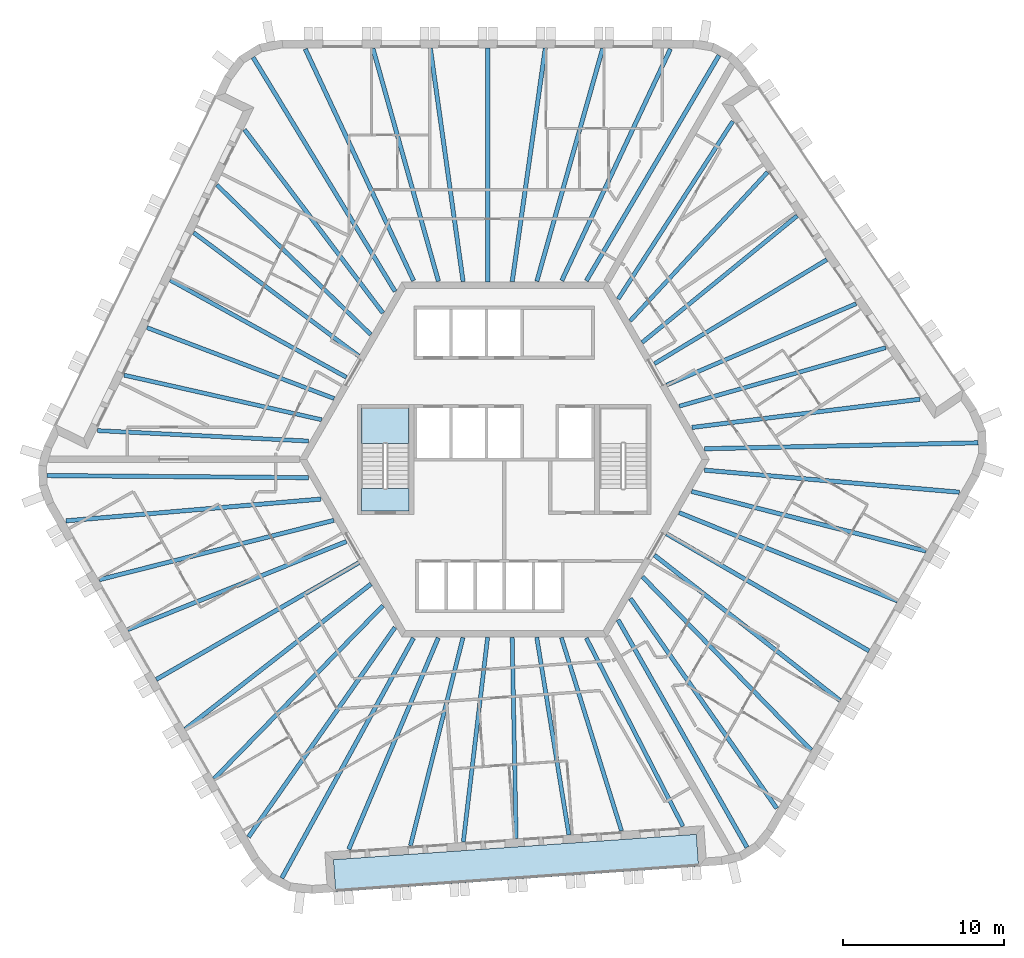
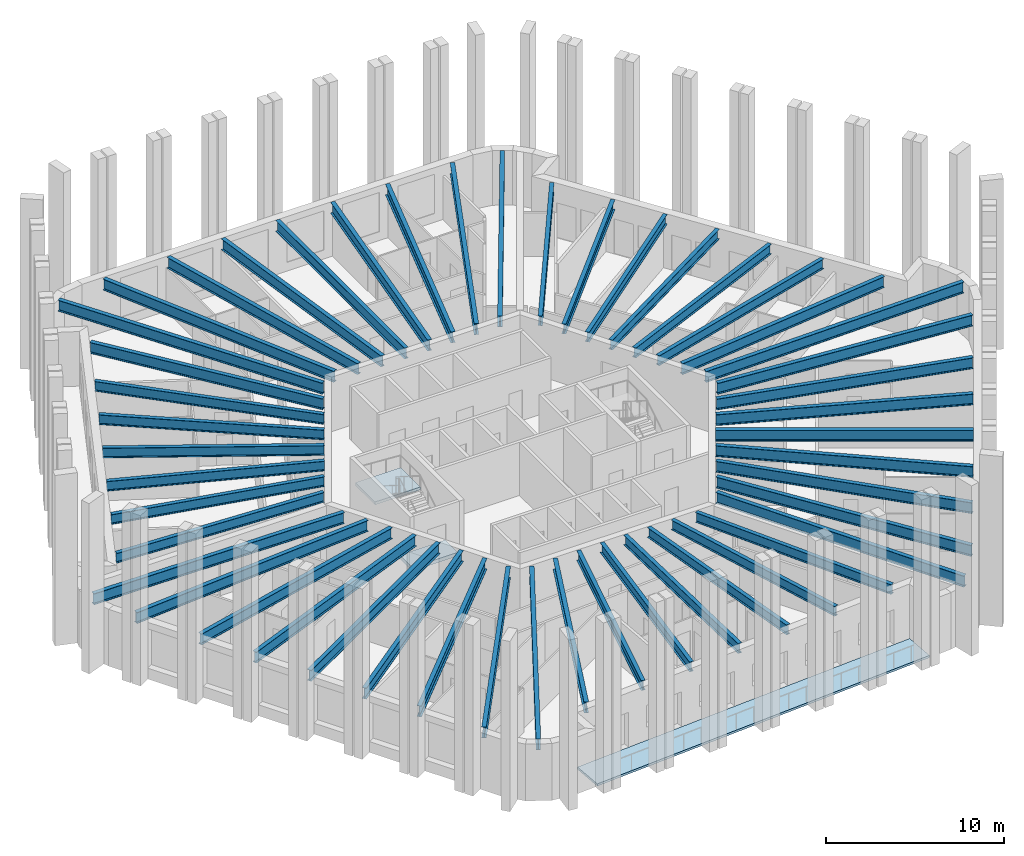
# One storey, part 1 of 13: 48 beams, 3 slabs, 1 element without a shape of its own.
"""IFC4 building model written with IfcOpenShell, lengths in metres."""

import ifcopenshell
import ifcopenshell.guid

model = None  # the IFC model being written
_history = None  # IfcOwnerHistory: only IFC2X3 demands one
_inside = {}  # id of a spatial element -> (the spatial element, [elements in it])
_under = {}  # id of a project, library or spatial element -> (it, [spatial elements below it])
_declared = {}  # id of a project -> (the project, [libraries it declares])
_typed = {}  # id of a type object -> (the type object, [elements of that type])
_made_of = {}  # id of a material, layer set ... -> (it, [elements and type objects made of it])


def new_model(schema):
    """Start an empty IFC model of exactly this schema.

    Asked for "IFC4X3", IfcOpenShell would pick the latest addendum, in which some entities
    have other attributes; the version numbers below select the first issue.
    IFC2X3 requires an IfcOwnerHistory on every rooted entity: one is made here for all.
    """
    global model, _history
    if schema == "IFC4X3":
        model = ifcopenshell.file(schema_version=(4, 3, 0, 0))
    else:
        model = ifcopenshell.file(schema=schema)
    _inside.clear()
    _under.clear()
    _declared.clear()
    _typed.clear()
    _made_of.clear()
    _history = None
    if model.schema == "IFC2X3":
        org = make("IfcOrganization", Name="unknown")
        user = make(
            "IfcPersonAndOrganization",
            ThePerson=make("IfcPerson", FamilyName="unknown"),
            TheOrganization=org,
        )
        app = make(
            "IfcApplication",
            ApplicationDeveloper=org,
            Version="unknown",
            ApplicationFullName="unknown",
            ApplicationIdentifier="unknown",
        )
        _history = make(
            "IfcOwnerHistory",
            OwningUser=user,
            OwningApplication=app,
            ChangeAction="ADDED",
            CreationDate=0,
        )
    return model


def make(cls, **values):
    """One entity of the class cls with the attributes given. An attribute that is None is left unset."""
    return model.create_entity(
        cls, **{name: value for name, value in values.items() if value is not None}
    )


def rooted(cls, **values):
    """An entity with a GlobalId (a new one), such as an element, a storey or a relation."""
    return make(cls, GlobalId=ifcopenshell.guid.new(), OwnerHistory=_history, **values)


def si_unit(unit_type, name, prefix=None):
    """IfcSIUnit, for example si_unit("LENGTHUNIT", "METRE", prefix="MILLI")."""
    return make("IfcSIUnit", UnitType=unit_type, Prefix=prefix, Name=name)


def assignment(units):
    """IfcUnitAssignment: the units of a project."""
    return None if units is None else make("IfcUnitAssignment", Units=units)


def point(xyz):
    """IfcCartesianPoint."""
    return None if xyz is None else make("IfcCartesianPoint", Coordinates=xyz)


def direction(xyz):
    """IfcDirection."""
    return None if xyz is None else make("IfcDirection", DirectionRatios=xyz)


def frame(location, z_axis=None, x_axis=None):
    """IfcAxis2Placement3D, a coordinate frame: its origin and axes. An axis left out is left unset."""
    return make(
        "IfcAxis2Placement3D",
        Location=point(location),
        Axis=direction(z_axis),
        RefDirection=direction(x_axis),
    )


def frame_2d(location, x_axis=None):
    """IfcAxis2Placement2D, a coordinate frame in the plane: its origin and x axis."""
    return make(
        "IfcAxis2Placement2D", Location=point(location), RefDirection=direction(x_axis)
    )


def origin():
    """The frame at (0, 0, 0) with its axes left unset."""
    return frame((0.0, 0.0, 0.0))


def origin_2d():
    """The frame at (0, 0) in the plane with its x axis left unset."""
    return frame_2d((0.0, 0.0))


def place(relative_to, where):
    """IfcLocalPlacement: puts the frame where relative to a parent placement (None: the world)."""
    return make(
        "IfcLocalPlacement", PlacementRelTo=relative_to, RelativePlacement=where
    )


def context(
    kind, dimensions, precision=None, world=None, true_north=None, identifier=None
):
    """IfcGeometricRepresentationContext, for example the 3D "Model" context."""
    return make(
        "IfcGeometricRepresentationContext",
        ContextIdentifier=identifier,
        ContextType=kind,
        CoordinateSpaceDimension=dimensions,
        Precision=precision,
        WorldCoordinateSystem=world,
        TrueNorth=true_north,
    )


def subcontext(parent, identifier, kind, view, scale=None):
    """IfcGeometricRepresentationSubContext, for example "Body" below "Model"."""
    return make(
        "IfcGeometricRepresentationSubContext",
        ContextIdentifier=identifier,
        ContextType=kind,
        ParentContext=parent,
        TargetScale=scale,
        TargetView=view,
    )


def project(units=None, contexts=None):
    """IfcProject with its units and contexts."""
    return rooted(
        "IfcProject",
        Name="project",
        RepresentationContexts=contexts,
        UnitsInContext=assignment(units),
    )


def spatial(cls, under=None, at=None, **own):
    """A site, building, storey or space (cls), placed at a placement, below another one or the project."""
    s = rooted(cls, ObjectPlacement=at, **own)
    if under is not None:
        _under.setdefault(under.id(), (under, []))[1].append(s)
    return s


def polyline(points):
    """IfcPolyline through the points."""
    return make("IfcPolyline", Points=[point(p) for p in points])


def profile(cls, at=None, kind="AREA", **sizes):
    """A parametric profile (cls). Its sizes go by their IFC names, for example OverallWidth=200.0."""
    return make(cls, ProfileType=kind, Position=at, **sizes)


def i_section(**sizes):
    """IfcIShapeProfileDef."""
    return profile("IfcIShapeProfileDef", **sizes)


def outline(outer, holes=None, kind="AREA"):
    """IfcArbitraryClosedProfileDef: a profile drawn as a closed curve; with holes, ...WithVoids."""
    if holes is None:
        return make("IfcArbitraryClosedProfileDef", ProfileType=kind, OuterCurve=outer)
    return make(
        "IfcArbitraryProfileDefWithVoids",
        ProfileType=kind,
        OuterCurve=outer,
        InnerCurves=holes,
    )


def extrude(swept, where, along, depth):
    """IfcExtrudedAreaSolid: the profile swept, set in the frame where, extruded along a direction by depth."""
    return make(
        "IfcExtrudedAreaSolid",
        SweptArea=swept,
        Position=where,
        ExtrudedDirection=direction(along),
        Depth=depth,
    )


def shape(context_of_items, identifier, shape_type, items):
    """IfcShapeRepresentation: the items that make up one representation, for example the "Body"."""
    return make(
        "IfcShapeRepresentation",
        ContextOfItems=context_of_items,
        RepresentationIdentifier=identifier,
        RepresentationType=shape_type,
        Items=items,
    )


def material(Name=None, Category=None):
    """IfcMaterial."""
    return make("IfcMaterial", Name=Name, Category=Category)


def layer(
    of_material, thickness, ventilated=None, Name=None, Category=None, Priority=None
):
    """IfcMaterialLayer: one layer of a wall or slab, of a material (None: an air gap)."""
    return make(
        "IfcMaterialLayer",
        Material=of_material,
        LayerThickness=thickness,
        IsVentilated=ventilated,
        Name=Name,
        Category=Category,
        Priority=Priority,
    )


def layer_set(layers, Name=None):
    """IfcMaterialLayerSet."""
    return make("IfcMaterialLayerSet", MaterialLayers=layers, LayerSetName=Name)


def material_profile(
    of_material, cross_section, Name=None, Category=None, Priority=None
):
    """IfcMaterialProfile: a cross section and its material."""
    return make(
        "IfcMaterialProfile",
        Name=Name,
        Material=of_material,
        Profile=cross_section,
        Priority=Priority,
        Category=Category,
    )


def profile_set(profiles, Name=None, composite=None):
    """IfcMaterialProfileSet."""
    return make(
        "IfcMaterialProfileSet",
        Name=Name,
        MaterialProfiles=profiles,
        CompositeProfile=composite,
    )


def made_of(thing, what):
    """Note that an element or type object is made of a material, layer set ...; save() writes the relation."""
    if what is not None:
        _made_of.setdefault(what.id(), (what, []))[1].append(thing)
    return thing


def type_object(cls, material=None, **own):
    """A type object (cls), such as IfcWallType, which elements share."""
    return made_of(rooted(cls, **own), material)


def element(
    cls,
    number,
    at=None,
    inside=None,
    cuts=None,
    type_object=None,
    material=None,
    context=None,
    identifier="Body",
    shape_type=None,
    held_by="IfcProductDefinitionShape",
    body=None,
    shapes=None,
    **own,
):
    """One element of the class cls, such as IfcWall. Its Tag is "e" and its number.

    at: its placement. inside: the storey or other place that contains it. cuts: it is an
    opening in that element (IfcRelVoidsElement). A single representation is given by context,
    identifier, shape_type and body (its items); several are given by shapes. held_by: the class
    of the entity that holds the representations. save() writes the other relations.
    """
    e = rooted(cls, Tag="e%d" % number, ObjectPlacement=at, **own)
    if body is not None:
        shapes = [shape(context, identifier, shape_type, body)]
    if shapes is not None:
        e.Representation = make(held_by, Representations=shapes)
    if inside is not None:
        _inside.setdefault(inside.id(), (inside, []))[1].append(e)
    if cuts is not None:
        rooted(
            "IfcRelVoidsElement", RelatingBuildingElement=cuts, RelatedOpeningElement=e
        )
    if type_object is not None:
        _typed.setdefault(type_object.id(), (type_object, []))[1].append(e)
    return made_of(e, material)


def aggregate(whole, parts):
    """IfcRelAggregates: a whole, such as a stair, and the parts it consists of."""
    return rooted("IfcRelAggregates", RelatingObject=whole, RelatedObjects=parts)


def save(model, path):
    """Write the relations noted so far, then the file.

    IfcRelAggregates (storeys below a building ...), IfcRelContainedInSpatialStructure (elements
    in a storey), IfcRelDefinesByType, IfcRelAssociatesMaterial and IfcRelDeclares: one each for
    every whole, place, type object, material and project.
    """
    for whole, parts in _under.values():
        aggregate(whole, parts)
    for where, things in _inside.values():
        rooted(
            "IfcRelContainedInSpatialStructure",
            RelatedElements=things,
            RelatingStructure=where,
        )
    for kind, things in _typed.values():
        rooted("IfcRelDefinesByType", RelatedObjects=things, RelatingType=kind)
    for what, things in _made_of.values():
        rooted("IfcRelAssociatesMaterial", RelatedObjects=things, RelatingMaterial=what)
    for by, libraries in _declared.values():
        rooted("IfcRelDeclares", RelatingContext=by, RelatedDefinitions=libraries)
    model.write(path)


model = new_model("IFC4")

# Units and contexts
model_context = context("Model", 3, precision=1e-05, world=origin(), true_north=direction((0.0, 1.0)))
body_context = subcontext(model_context, "Body", "Model", "MODEL_VIEW")
ifc_project = project(units=[si_unit("LENGTHUNIT", "METRE"), si_unit("AREAUNIT", "SQUARE_METRE"), si_unit("VOLUMEUNIT", "CUBIC_METRE"), si_unit("PLANEANGLEUNIT", "RADIAN"), si_unit("MASSUNIT", "GRAM", prefix="KILO")], contexts=[model_context])

# Site, building, storey
site_placement = place(None, origin())
site = spatial("IfcSite", under=ifc_project, at=site_placement, CompositionType="ELEMENT")
building_placement = place(site_placement, origin())
building = spatial("IfcBuilding", under=site, at=building_placement, Name="Tarnside Tower", CompositionType="ELEMENT")
storey_placement = place(building_placement, frame((0.0, 0.0, 314.699951171875)))
storey = spatial("IfcBuildingStorey", under=building, at=storey_placement, Name="L76", CompositionType="ELEMENT", Elevation=314.699951171875)

# Beams
ifc_material_1 = material(Name="Steel S355", Category="steel")
ifc_material_profile_1 = material_profile(ifc_material_1, i_section(OverallWidth=0.2529296875, OverallDepth=0.677978515625, WebThickness=0.01171875, FlangeThickness=0.01611328125, FilletRadius=0.01513671875, at=origin_2d()), Name="UB 686x254x125")
ifc_profile_set_1 = profile_set([ifc_material_profile_1], Name="Steel S355")
beam_type_1 = type_object("IfcBeamType", Name="Floor beam UB 686x254x125", PredefinedType="BEAM", material=ifc_profile_set_1)
beam_1_placement = place(storey_placement, frame((-17.811279296875, 17.002197265625, 3.4111328125), z_axis=(0.717190986424, -0.696876666988, 0.0), x_axis=(0.696876666988, 0.717190986424, 0.0)))
element("IfcBeam", 1, at=beam_1_placement, inside=storey, type_object=beam_type_1, Name="Floor beam F2.02", PredefinedType="BEAM", context=body_context, shape_type="SweptSolid", body=[
    extrude(i_section(OverallWidth=0.2529296875, OverallDepth=0.677978515625, WebThickness=0.01171875, FlangeThickness=0.01611328125, FilletRadius=0.01513671875, at=origin_2d()), origin(), (0.0, 0.0, 1.0), 13.2919921875),
])
beam_2_placement = place(storey_placement, frame((-19.25, 14.0498046875, 3.4111328125), z_axis=(0.801006417676, -0.598655759883, 0.0), x_axis=(0.598655759883, 0.801006417676, 0.0)))
element("IfcBeam", 2, at=beam_2_placement, inside=storey, type_object=beam_type_1, Name="Floor beam F2.03", PredefinedType="BEAM", context=body_context, shape_type="SweptSolid", body=[
    extrude(i_section(OverallWidth=0.2529296875, OverallDepth=0.677978515625, WebThickness=0.01171875, FlangeThickness=0.01611328125, FilletRadius=0.01513671875, at=origin_2d()), origin(), (0.0, 0.0, 1.0), 12.764892578125),
])
beam_3_placement = place(storey_placement, frame((-20.70458984375, 11.111572265625, 3.4111328125), z_axis=(0.875666768762, -0.482915841619, 0.0), x_axis=(0.482915841619, 0.875666768762, 0.0)))
element("IfcBeam", 3, at=beam_3_placement, inside=storey, type_object=beam_type_1, Name="Floor beam F2.04", PredefinedType="BEAM", context=body_context, shape_type="SweptSolid", body=[
    extrude(i_section(OverallWidth=0.2529296875, OverallDepth=0.677978515625, WebThickness=0.01171875, FlangeThickness=0.01611328125, FilletRadius=0.01513671875, at=origin_2d()), origin(), (0.0, 0.0, 1.0), 12.468994140625),
])
beam_4_placement = place(storey_placement, frame((-22.141357421875, 8.165771484375, 3.4111328125), z_axis=(0.935116350489, -0.354340811998, 0.0), x_axis=(0.354340811998, 0.935116350489, 0.0)))
element("IfcBeam", 4, at=beam_4_placement, inside=storey, type_object=beam_type_1, Name="Floor beam F2.05", PredefinedType="BEAM", context=body_context, shape_type="SweptSolid", body=[
    extrude(i_section(OverallWidth=0.2529296875, OverallDepth=0.677978515625, WebThickness=0.01171875, FlangeThickness=0.01611328125, FilletRadius=0.01513671875, at=origin_2d()), origin(), (0.0, 0.0, 1.0), 12.399169921875),
])
beam_5_placement = place(storey_placement, frame((-23.556884765625, 5.2197265625, 3.4111328125), z_axis=(0.975445185376, -0.220242344534, 0.0), x_axis=(0.220242344534, 0.975445185376, 0.0)))
element("IfcBeam", 5, at=beam_5_placement, inside=storey, type_object=beam_type_1, Name="Floor beam F2.06", PredefinedType="BEAM", context=body_context, shape_type="SweptSolid", body=[
    extrude(i_section(OverallWidth=0.2529296875, OverallDepth=0.677978515625, WebThickness=0.01171875, FlangeThickness=0.01611328125, FilletRadius=0.01513671875, at=origin_2d()), origin(), (0.0, 0.0, 1.0), 12.538330078125),
])
beam_6_placement = place(storey_placement, frame((-25.214599609375, 1.7841796875, 3.4111328125), z_axis=(0.998783137237, -0.049317793651, 0.0), x_axis=(0.049317793651, 0.998783137237, 0.0)))
element("IfcBeam", 6, at=beam_6_placement, inside=storey, type_object=beam_type_1, Name="Floor beam F2.07", PredefinedType="BEAM", context=body_context, shape_type="SweptSolid", body=[
    extrude(i_section(OverallWidth=0.2529296875, OverallDepth=0.677978515625, WebThickness=0.01171875, FlangeThickness=0.01611328125, FilletRadius=0.01513671875, at=origin_2d()), origin(), (0.0, 0.0, 1.0), 13.103515625),
])
beam_7_placement = place(storey_placement, frame((-5.818603515625, -23.92626953125, 3.4111328125), z_axis=(0.244907502604, 0.969546448175, 0.0), x_axis=(-0.969546448175, 0.244907502604, 0.0)))
element("IfcBeam", 7, at=beam_7_placement, inside=storey, type_object=beam_type_1, Name="Floor beam F4.02", PredefinedType="BEAM", context=body_context, shape_type="SweptSolid", body=[
    extrude(i_section(OverallWidth=0.2529296875, OverallDepth=0.677978515625, WebThickness=0.01171875, FlangeThickness=0.01611328125, FilletRadius=0.01513671875, at=origin_2d()), origin(), (0.0, 0.0, 1.0), 13.292236328125),
])
beam_8_placement = place(storey_placement, frame((-2.54248046875, -23.69580078125, 3.4111328125), z_axis=(0.117949762105, 0.993019563563, 0.0), x_axis=(-0.993019563563, 0.117949762105, 0.0)))
element("IfcBeam", 8, at=beam_8_placement, inside=storey, type_object=beam_type_1, Name="Floor beam F4.03", PredefinedType="BEAM", context=body_context, shape_type="SweptSolid", body=[
    extrude(i_section(OverallWidth=0.2529296875, OverallDepth=0.677978515625, WebThickness=0.01171875, FlangeThickness=0.01611328125, FilletRadius=0.01513671875, at=origin_2d()), origin(), (0.0, 0.0, 1.0), 12.764892578125),
])
beam_9_placement = place(storey_placement, frame((0.7294921875, -23.486328125, 3.4111328125), z_axis=(-0.019619426101, 0.999807520536, 0.0), x_axis=(-0.999807520536, -0.019619426101, 0.0)))
element("IfcBeam", 9, at=beam_9_placement, inside=storey, type_object=beam_type_1, Name="Floor beam F4.04", PredefinedType="BEAM", context=body_context, shape_type="SweptSolid", body=[
    extrude(i_section(OverallWidth=0.2529296875, OverallDepth=0.677978515625, WebThickness=0.01171875, FlangeThickness=0.01611328125, FilletRadius=0.01513671875, at=origin_2d()), origin(), (0.0, 0.0, 1.0), 12.46875),
])
beam_10_placement = place(storey_placement, frame((3.9990234375, -23.2578125, 3.4111328125), z_axis=(-0.160690769029, 0.987004800773, 0.0), x_axis=(-0.987004800773, -0.160690769029, 0.0)))
element("IfcBeam", 10, at=beam_10_placement, inside=storey, type_object=beam_type_1, Name="Floor beam F4.05", PredefinedType="BEAM", context=body_context, shape_type="SweptSolid", body=[
    extrude(i_section(OverallWidth=0.2529296875, OverallDepth=0.677978515625, WebThickness=0.01171875, FlangeThickness=0.01611328125, FilletRadius=0.01513671875, at=origin_2d()), origin(), (0.0, 0.0, 1.0), 12.399169921875),
])
beam_11_placement = place(storey_placement, frame((7.258056640625, -23.0107421875, 3.4111328125), z_axis=(-0.296997512057, 0.954878252885, 0.0), x_axis=(-0.954878252885, -0.296997512057, 0.0)))
element("IfcBeam", 11, at=beam_11_placement, inside=storey, type_object=beam_type_1, Name="Floor beam F4.06", PredefinedType="BEAM", context=body_context, shape_type="SweptSolid", body=[
    extrude(i_section(OverallWidth=0.2529296875, OverallDepth=0.677978515625, WebThickness=0.01171875, FlangeThickness=0.01611328125, FilletRadius=0.01513671875, at=origin_2d()), origin(), (0.0, 0.0, 1.0), 12.538330078125),
])
beam_12_placement = place(storey_placement, frame((11.06201171875, -22.728515625, 3.4111328125), z_axis=(-0.456683143477, 0.889629420862, 0.0), x_axis=(-0.889629420862, -0.456683143477, 0.0)))
element("IfcBeam", 12, at=beam_12_placement, inside=storey, type_object=beam_type_1, Name="Floor beam F4.07", PredefinedType="BEAM", context=body_context, shape_type="SweptSolid", body=[
    extrude(i_section(OverallWidth=0.2529296875, OverallDepth=0.677978515625, WebThickness=0.01171875, FlangeThickness=0.01611328125, FilletRadius=0.01513671875, at=origin_2d()), origin(), (0.0, 0.0, 1.0), 13.103515625),
])
beam_13_placement = place(storey_placement, frame((23.6298828125, 6.924072265625, 3.4111328125), z_axis=(-0.962104001021, -0.272682766636, 0.0), x_axis=(0.272682766636, -0.962104001021, 0.0)))
element("IfcBeam", 13, at=beam_13_placement, inside=storey, type_object=beam_type_1, Name="Floor beam F6.02", PredefinedType="BEAM", context=body_context, shape_type="SweptSolid", body=[
    extrude(i_section(OverallWidth=0.2529296875, OverallDepth=0.677978515625, WebThickness=0.01171875, FlangeThickness=0.01611328125, FilletRadius=0.01513671875, at=origin_2d()), origin(), (0.0, 0.0, 1.0), 13.2919921875),
])
beam_14_placement = place(storey_placement, frame((21.792236328125, 9.64599609375, 3.4111328125), z_axis=(-0.918954980534, -0.394362452258, 0.0), x_axis=(0.394362452258, -0.918954980534, 0.0)))
element("IfcBeam", 14, at=beam_14_placement, inside=storey, type_object=beam_type_1, Name="Floor beam F6.03", PredefinedType="BEAM", context=body_context, shape_type="SweptSolid", body=[
    extrude(i_section(OverallWidth=0.2529296875, OverallDepth=0.677978515625, WebThickness=0.01171875, FlangeThickness=0.01611328125, FilletRadius=0.01513671875, at=origin_2d()), origin(), (0.0, 0.0, 1.0), 12.7646484375),
])
beam_15_placement = place(storey_placement, frame((19.97509765625, 12.375, 3.4111328125), z_axis=(-0.856046953876, -0.516898068055, 0.0), x_axis=(0.516898068055, -0.856046953876, 0.0)))
element("IfcBeam", 15, at=beam_15_placement, inside=storey, type_object=beam_type_1, Name="Floor beam F6.04", PredefinedType="BEAM", context=body_context, shape_type="SweptSolid", body=[
    extrude(i_section(OverallWidth=0.2529296875, OverallDepth=0.677978515625, WebThickness=0.01171875, FlangeThickness=0.01611328125, FilletRadius=0.01513671875, at=origin_2d()), origin(), (0.0, 0.0, 1.0), 12.46875),
])
beam_16_placement = place(storey_placement, frame((18.142333984375, 15.092041015625, 3.4111328125), z_axis=(-0.774438707576, -0.632648945473, 0.0), x_axis=(0.632648945473, -0.774438707576, 0.0)))
element("IfcBeam", 16, at=beam_16_placement, inside=storey, type_object=beam_type_1, Name="Floor beam F6.05", PredefinedType="BEAM", context=body_context, shape_type="SweptSolid", body=[
    extrude(i_section(OverallWidth=0.2529296875, OverallDepth=0.677978515625, WebThickness=0.01171875, FlangeThickness=0.01611328125, FilletRadius=0.01513671875, at=origin_2d()), origin(), (0.0, 0.0, 1.0), 12.39892578125),
])
beam_17_placement = place(storey_placement, frame((16.299072265625, 17.791015625, 3.4111328125), z_axis=(-0.67846123451, -0.734636204708, 0.0), x_axis=(0.734636204708, -0.67846123451, 0.0)))
element("IfcBeam", 17, at=beam_17_placement, inside=storey, type_object=beam_type_1, Name="Floor beam F6.06", PredefinedType="BEAM", context=body_context, shape_type="SweptSolid", body=[
    extrude(i_section(OverallWidth=0.2529296875, OverallDepth=0.677978515625, WebThickness=0.01171875, FlangeThickness=0.01611328125, FilletRadius=0.01513671875, at=origin_2d()), origin(), (0.0, 0.0, 1.0), 12.538330078125),
])
beam_18_placement = place(storey_placement, frame((14.152587890625, 20.9443359375, 3.4111328125), z_axis=(-0.54209970956, -0.840314170352, 0.0), x_axis=(0.840314170352, -0.54209970956, 0.0)))
element("IfcBeam", 18, at=beam_18_placement, inside=storey, type_object=beam_type_1, Name="Floor beam F6.07", PredefinedType="BEAM", context=body_context, shape_type="SweptSolid", body=[
    extrude(i_section(OverallWidth=0.2529296875, OverallDepth=0.677978515625, WebThickness=0.01171875, FlangeThickness=0.01611328125, FilletRadius=0.01513671875, at=origin_2d()), origin(), (0.0, 0.0, 1.0), 13.103759765625),
])
ifc_material_profile_2 = material_profile(ifc_material_1, i_section(OverallWidth=0.26513671875, OverallDepth=0.75390625, WebThickness=0.0126953125, FlangeThickness=0.017578125, FilletRadius=0.0166015625, at=origin_2d()), Name="UB 762x267x147")
ifc_profile_set_2 = profile_set([ifc_material_profile_2], Name="Steel S355")
beam_type_2 = type_object("IfcBeamType", Name="Floor beam UB 762x267x147", PredefinedType="BEAM", material=ifc_profile_set_2)
beam_19_placement = place(storey_placement, frame((6.093505859375, 25.46142578125, 3.373046875), z_axis=(-0.272147186115, -0.962255636039, 0.0), x_axis=(0.962255636039, -0.272147186115, 0.0)))
element("IfcBeam", 19, at=beam_19_placement, inside=storey, type_object=beam_type_2, Name="Floor beam F1.02", PredefinedType="BEAM", context=body_context, shape_type="SweptSolid", body=[
    extrude(i_section(OverallWidth=0.26513671875, OverallDepth=0.75390625, WebThickness=0.0126953125, FlangeThickness=0.017578125, FilletRadius=0.0166015625, at=origin_2d()), origin(), (0.0, 0.0, 1.0), 14.988525390625),
])
beam_20_placement = place(storey_placement, frame((2.537109375, 25.480224609375, 3.373046875), z_axis=(-0.140349428967, -0.990102034029, 0.0), x_axis=(0.990102034029, -0.140349428967, 0.0)))
element("IfcBeam", 20, at=beam_20_placement, inside=storey, type_object=beam_type_2, Name="Floor beam F1.03", PredefinedType="BEAM", context=body_context, shape_type="SweptSolid", body=[
    extrude(i_section(OverallWidth=0.26513671875, OverallDepth=0.75390625, WebThickness=0.0126953125, FlangeThickness=0.017578125, FilletRadius=0.0166015625, at=origin_2d()), origin(), (0.0, 0.0, 1.0), 14.60498046875),
])
beam_21_placement = place(storey_placement, frame((-1.02490234375, 25.5, 3.373046875), z_axis=(-0.000656653953, -0.999999784403, 0.0), x_axis=(0.999999784403, -0.000656653953, 0.0)))
element("IfcBeam", 21, at=beam_21_placement, inside=storey, type_object=beam_type_2, Name="Floor beam F1.04", PredefinedType="BEAM", context=body_context, shape_type="SweptSolid", body=[
    extrude(i_section(OverallWidth=0.26513671875, OverallDepth=0.75390625, WebThickness=0.0126953125, FlangeThickness=0.017578125, FilletRadius=0.0166015625, at=origin_2d()), origin(), (0.0, 0.0, 1.0), 14.5),
])
beam_22_placement = place(storey_placement, frame((-4.5869140625, 25.480224609375, 3.373046875), z_axis=(0.139070897001, -0.990282427193, 0.0), x_axis=(0.990282427193, 0.139070897001, 0.0)))
element("IfcBeam", 22, at=beam_22_placement, inside=storey, type_object=beam_type_2, Name="Floor beam F1.05", PredefinedType="BEAM", context=body_context, shape_type="SweptSolid", body=[
    extrude(i_section(OverallWidth=0.26513671875, OverallDepth=0.75390625, WebThickness=0.0126953125, FlangeThickness=0.017578125, FilletRadius=0.0166015625, at=origin_2d()), origin(), (0.0, 0.0, 1.0), 14.602294921875),
])
beam_23_placement = place(storey_placement, frame((-8.1435546875, 25.46142578125, 3.373046875), z_axis=(0.270985274434, -0.962583493023, 0.0), x_axis=(0.962583493023, 0.270985274434, 0.0)))
element("IfcBeam", 23, at=beam_23_placement, inside=storey, type_object=beam_type_2, Name="Floor beam F1.06", PredefinedType="BEAM", context=body_context, shape_type="SweptSolid", body=[
    extrude(i_section(OverallWidth=0.26513671875, OverallDepth=0.75390625, WebThickness=0.0126953125, FlangeThickness=0.017578125, FilletRadius=0.0166015625, at=origin_2d()), origin(), (0.0, 0.0, 1.0), 14.9833984375),
])
beam_24_placement = place(storey_placement, frame((-16.101318359375, 20.43212890625, 3.373046875), z_axis=(0.602566097863, -0.798068980543, 0.0), x_axis=(0.798068980543, 0.602566097863, 0.0)))
element("IfcBeam", 24, at=beam_24_placement, inside=storey, type_object=beam_type_2, Name="Floor beam F2.01", PredefinedType="BEAM", context=body_context, shape_type="SweptSolid", body=[
    extrude(i_section(OverallWidth=0.26513671875, OverallDepth=0.75390625, WebThickness=0.0126953125, FlangeThickness=0.017578125, FilletRadius=0.0166015625, at=origin_2d()), origin(), (0.0, 0.0, 1.0), 14.231201171875),
])
beam_25_placement = place(storey_placement, frame((-25.09716796875, -7.45361328125, 3.373046875), z_axis=(0.969413823687, 0.245431942592, 0.0), x_axis=(-0.245431942592, 0.969413823687, 0.0)))
element("IfcBeam", 25, at=beam_25_placement, inside=storey, type_object=beam_type_2, Name="Floor beam F3.02", PredefinedType="BEAM", context=body_context, shape_type="SweptSolid", body=[
    extrude(i_section(OverallWidth=0.26513671875, OverallDepth=0.75390625, WebThickness=0.0126953125, FlangeThickness=0.017578125, FilletRadius=0.0166015625, at=origin_2d()), origin(), (0.0, 0.0, 1.0), 14.98876953125),
])
beam_26_placement = place(storey_placement, frame((-23.3349609375, -10.54296875, 3.373046875), z_axis=(0.927625766949, 0.373510958998, 0.0), x_axis=(-0.373510958998, 0.927625766949, 0.0)))
element("IfcBeam", 26, at=beam_26_placement, inside=storey, type_object=beam_type_2, Name="Floor beam F3.03", PredefinedType="BEAM", context=body_context, shape_type="SweptSolid", body=[
    extrude(i_section(OverallWidth=0.26513671875, OverallDepth=0.75390625, WebThickness=0.0126953125, FlangeThickness=0.017578125, FilletRadius=0.0166015625, at=origin_2d()), origin(), (0.0, 0.0, 1.0), 14.60498046875),
])
beam_27_placement = place(storey_placement, frame((-21.5712890625, -13.6376953125, 3.373046875), z_axis=(0.866357363831, 0.499424587036, 0.0), x_axis=(-0.499424587036, 0.866357363831, 0.0)))
element("IfcBeam", 27, at=beam_27_placement, inside=storey, type_object=beam_type_2, Name="Floor beam F3.04", PredefinedType="BEAM", context=body_context, shape_type="SweptSolid", body=[
    extrude(i_section(OverallWidth=0.26513671875, OverallDepth=0.75390625, WebThickness=0.0126953125, FlangeThickness=0.017578125, FilletRadius=0.0166015625, at=origin_2d()), origin(), (0.0, 0.0, 1.0), 14.5),
])
beam_28_placement = place(storey_placement, frame((-19.77294921875, -16.71240234375, 3.373046875), z_axis=(0.788074813552, 0.615579473541, 0.0), x_axis=(-0.615579473541, 0.788074813552, 0.0)))
element("IfcBeam", 28, at=beam_28_placement, inside=storey, type_object=beam_type_2, Name="Floor beam F3.05", PredefinedType="BEAM", context=body_context, shape_type="SweptSolid", body=[
    extrude(i_section(OverallWidth=0.26513671875, OverallDepth=0.75390625, WebThickness=0.0126953125, FlangeThickness=0.017578125, FilletRadius=0.0166015625, at=origin_2d()), origin(), (0.0, 0.0, 1.0), 14.60205078125),
])
beam_29_placement = place(storey_placement, frame((-17.978515625, -19.783203125, 3.373046875), z_axis=(0.698129580508, 0.71597143017, 0.0), x_axis=(-0.71597143017, 0.698129580508, 0.0)))
element("IfcBeam", 29, at=beam_29_placement, inside=storey, type_object=beam_type_2, Name="Floor beam F3.06", PredefinedType="BEAM", context=body_context, shape_type="SweptSolid", body=[
    extrude(i_section(OverallWidth=0.26513671875, OverallDepth=0.75390625, WebThickness=0.0126953125, FlangeThickness=0.017578125, FilletRadius=0.0166015625, at=origin_2d()), origin(), (0.0, 0.0, 1.0), 14.983642578125),
])
beam_30_placement = place(storey_placement, frame((-9.64404296875, -24.160400390625, 3.373046875), z_axis=(0.389873911801, 0.920868249478, 0.0), x_axis=(-0.920868249478, 0.389873911801, 0.0)))
element("IfcBeam", 30, at=beam_30_placement, inside=storey, type_object=beam_type_2, Name="Floor beam F4.01", PredefinedType="BEAM", context=body_context, shape_type="SweptSolid", body=[
    extrude(i_section(OverallWidth=0.26513671875, OverallDepth=0.75390625, WebThickness=0.0126953125, FlangeThickness=0.017578125, FilletRadius=0.0166015625, at=origin_2d()), origin(), (0.0, 0.0, 1.0), 14.231201171875),
])
beam_31_placement = place(storey_placement, frame((19.00341796875, -18.008056640625, 3.373046875), z_axis=(-0.697249797022, 0.716828236437, 0.0), x_axis=(-0.716828236437, -0.697249797022, 0.0)))
element("IfcBeam", 31, at=beam_31_placement, inside=storey, type_object=beam_type_2, Name="Floor beam F5.02", PredefinedType="BEAM", context=body_context, shape_type="SweptSolid", body=[
    extrude(i_section(OverallWidth=0.26513671875, OverallDepth=0.75390625, WebThickness=0.0126953125, FlangeThickness=0.017578125, FilletRadius=0.0166015625, at=origin_2d()), origin(), (0.0, 0.0, 1.0), 14.98876953125),
])
beam_32_placement = place(storey_placement, frame((20.798095703125, -14.937255859375, 3.373046875), z_axis=(-0.787282014804, 0.616593082321, 0.0), x_axis=(-0.616593082321, -0.787282014804, 0.0)))
element("IfcBeam", 32, at=beam_32_placement, inside=storey, type_object=beam_type_2, Name="Floor beam F5.03", PredefinedType="BEAM", context=body_context, shape_type="SweptSolid", body=[
    extrude(i_section(OverallWidth=0.26513671875, OverallDepth=0.75390625, WebThickness=0.0126953125, FlangeThickness=0.017578125, FilletRadius=0.0166015625, at=origin_2d()), origin(), (0.0, 0.0, 1.0), 14.60498046875),
])
beam_33_placement = place(storey_placement, frame((22.59619140625, -11.8623046875, 3.373046875), z_axis=(-0.865697438889, 0.500567622106, 0.0), x_axis=(-0.500567622106, -0.865697438889, 0.0)))
element("IfcBeam", 33, at=beam_33_placement, inside=storey, type_object=beam_type_2, Name="Floor beam F5.04", PredefinedType="BEAM", context=body_context, shape_type="SweptSolid", body=[
    extrude(i_section(OverallWidth=0.26513671875, OverallDepth=0.75390625, WebThickness=0.0126953125, FlangeThickness=0.017578125, FilletRadius=0.0166015625, at=origin_2d()), origin(), (0.0, 0.0, 1.0), 14.500244140625),
])
beam_34_placement = place(storey_placement, frame((24.35986328125, -8.767578125, 3.373046875), z_axis=(-0.927145907531, 0.374700501933, 0.0), x_axis=(-0.374700501933, -0.927145907531, 0.0)))
element("IfcBeam", 34, at=beam_34_placement, inside=storey, type_object=beam_type_2, Name="Floor beam F5.05", PredefinedType="BEAM", context=body_context, shape_type="SweptSolid", body=[
    extrude(i_section(OverallWidth=0.26513671875, OverallDepth=0.75390625, WebThickness=0.0126953125, FlangeThickness=0.017578125, FilletRadius=0.0166015625, at=origin_2d()), origin(), (0.0, 0.0, 1.0), 14.60205078125),
])
beam_35_placement = place(storey_placement, frame((26.1220703125, -5.67822265625, 3.373046875), z_axis=(-0.969115089144, 0.246608888716, 0.0), x_axis=(-0.246608888716, -0.969115089144, 0.0)))
element("IfcBeam", 35, at=beam_35_placement, inside=storey, type_object=beam_type_2, Name="Floor beam F5.06", PredefinedType="BEAM", context=body_context, shape_type="SweptSolid", body=[
    extrude(i_section(OverallWidth=0.26513671875, OverallDepth=0.75390625, WebThickness=0.0126953125, FlangeThickness=0.017578125, FilletRadius=0.0166015625, at=origin_2d()), origin(), (0.0, 0.0, 1.0), 14.9833984375),
])
beam_36_placement = place(storey_placement, frame((25.745361328125, 3.72802734375, 3.373046875), z_axis=(-0.992433598491, -0.122782541866, 0.0), x_axis=(0.122782541866, -0.992433598491, 0.0)))
element("IfcBeam", 36, at=beam_36_placement, inside=storey, type_object=beam_type_2, Name="Floor beam F6.01", PredefinedType="BEAM", context=body_context, shape_type="SweptSolid", body=[
    extrude(i_section(OverallWidth=0.26513671875, OverallDepth=0.75390625, WebThickness=0.0126953125, FlangeThickness=0.017578125, FilletRadius=0.0166015625, at=origin_2d()), origin(), (0.0, 0.0, 1.0), 14.23095703125),
])
ifc_material_profile_3 = material_profile(ifc_material_1, i_section(OverallWidth=0.2666015625, OverallDepth=0.76220703125, WebThickness=0.014404296875, FlangeThickness=0.021484375, FilletRadius=0.0166015625, at=origin_2d()), Name="UB 762x267x173")
ifc_profile_set_3 = profile_set([ifc_material_profile_3], Name="Steel S355")
beam_type_3 = type_object("IfcBeamType", Name="Floor beam UB 762x267x173", PredefinedType="BEAM", material=ifc_profile_set_3)
beam_37_placement = place(storey_placement, frame((10.285400390625, 25.427490234375, 3.368896484375), z_axis=(-0.424439399801, -0.905456346765, 0.0), x_axis=(0.905456346765, -0.424439399801, 0.0)))
element("IfcBeam", 37, at=beam_37_placement, inside=storey, type_object=beam_type_3, Name="Floor beam F1.01", PredefinedType="BEAM", context=body_context, shape_type="SweptSolid", body=[
    extrude(i_section(OverallWidth=0.2666015625, OverallDepth=0.76220703125, WebThickness=0.014404296875, FlangeThickness=0.021484375, FilletRadius=0.0166015625, at=origin_2d()), origin(), (0.0, 0.0, 1.0), 15.853759765625),
])
beam_38_placement = place(storey_placement, frame((-12.335205078125, 25.427490234375, 3.368896484375), z_axis=(0.423453877267, -0.905917663934, 0.0), x_axis=(0.905917663934, 0.423453877267, 0.0)))
element("IfcBeam", 38, at=beam_38_placement, inside=storey, type_object=beam_type_3, Name="Floor beam F1.07", PredefinedType="BEAM", context=body_context, shape_type="SweptSolid", body=[
    extrude(i_section(OverallWidth=0.2666015625, OverallDepth=0.76220703125, WebThickness=0.014404296875, FlangeThickness=0.021484375, FilletRadius=0.0166015625, at=origin_2d()), origin(), (0.0, 0.0, 1.0), 15.845703125),
])
beam_39_placement = place(storey_placement, frame((-15.5703125, 24.91162109375, 3.368896484375), z_axis=(0.518716683755, -0.854946198304, 0.0), x_axis=(0.854946198304, 0.518716683755, 0.0)))
element("IfcBeam", 39, at=beam_39_placement, inside=storey, type_object=beam_type_3, Name="Floor beam C1", PredefinedType="BEAM", context=body_context, shape_type="SweptSolid", body=[
    extrude(i_section(OverallWidth=0.2666015625, OverallDepth=0.76220703125, WebThickness=0.014404296875, FlangeThickness=0.021484375, FilletRadius=0.0166015625, at=origin_2d()), origin(), (0.0, 0.0, 1.0), 16.961181640625),
])
beam_40_placement = place(storey_placement, frame((-28.3291015625, -1.0009765625, 3.368896484375), z_axis=(0.999966651082, -0.008166806173, 0.0), x_axis=(0.008166806173, 0.999966651082, 0.0)))
element("IfcBeam", 40, at=beam_40_placement, inside=storey, type_object=beam_type_3, Name="Floor beam C2", PredefinedType="BEAM", context=body_context, shape_type="SweptSolid", body=[
    extrude(i_section(OverallWidth=0.2666015625, OverallDepth=0.76220703125, WebThickness=0.014404296875, FlangeThickness=0.021484375, FilletRadius=0.0166015625, at=origin_2d()), origin(), (0.0, 0.0, 1.0), 16.20263671875),
])
beam_41_placement = place(storey_placement, frame((-27.16357421875, -3.806396484375, 3.368896484375), z_axis=(0.996367434748, 0.085158293626, 0.0), x_axis=(-0.085158293626, 0.996367434748, 0.0)))
element("IfcBeam", 41, at=beam_41_placement, inside=storey, type_object=beam_type_3, Name="Floor beam F3.01", PredefinedType="BEAM", context=body_context, shape_type="SweptSolid", body=[
    extrude(i_section(OverallWidth=0.2666015625, OverallDepth=0.76220703125, WebThickness=0.014404296875, FlangeThickness=0.021484375, FilletRadius=0.0166015625, at=origin_2d()), origin(), (0.0, 0.0, 1.0), 15.85400390625),
])
beam_42_placement = place(storey_placement, frame((-15.853271484375, -23.396484375, 3.368896484375), z_axis=(0.572816933654, 0.819683329414, 0.0), x_axis=(-0.819683329414, 0.572816933654, 0.0)))
element("IfcBeam", 42, at=beam_42_placement, inside=storey, type_object=beam_type_3, Name="Floor beam F3.07", PredefinedType="BEAM", context=body_context, shape_type="SweptSolid", body=[
    extrude(i_section(OverallWidth=0.2666015625, OverallDepth=0.76220703125, WebThickness=0.014404296875, FlangeThickness=0.021484375, FilletRadius=0.0166015625, at=origin_2d()), origin(), (0.0, 0.0, 1.0), 15.84619140625),
])
beam_43_placement = place(storey_placement, frame((-13.788818359375, -25.93994140625, 3.368896484375), z_axis=(0.481036073107, 0.876700802081, 0.0), x_axis=(-0.876700802081, 0.481036073107, 0.0)))
element("IfcBeam", 43, at=beam_43_placement, inside=storey, type_object=beam_type_3, Name="Floor beam C3", PredefinedType="BEAM", context=body_context, shape_type="SweptSolid", body=[
    extrude(i_section(OverallWidth=0.2666015625, OverallDepth=0.76220703125, WebThickness=0.014404296875, FlangeThickness=0.021484375, FilletRadius=0.0166015625, at=origin_2d()), origin(), (0.0, 0.0, 1.0), 16.961181640625),
])
beam_44_placement = place(storey_placement, frame((15.031494140625, -24.033447265625, 3.368896484375), z_axis=(-0.49290801997, 0.870081423689, 0.0), x_axis=(-0.870081423689, -0.49290801997, 0.0)))
element("IfcBeam", 44, at=beam_44_placement, inside=storey, type_object=beam_type_3, Name="Floor beam C4", PredefinedType="BEAM", context=body_context, shape_type="SweptSolid", body=[
    extrude(i_section(OverallWidth=0.2666015625, OverallDepth=0.76220703125, WebThickness=0.014404296875, FlangeThickness=0.021484375, FilletRadius=0.0166015625, at=origin_2d()), origin(), (0.0, 0.0, 1.0), 16.202880859375),
])
beam_45_placement = place(storey_placement, frame((16.87841796875, -21.62109375, 3.368896484375), z_axis=(-0.571946235641, 0.82029110902, 0.0), x_axis=(-0.82029110902, -0.571946235641, 0.0)))
element("IfcBeam", 45, at=beam_45_placement, inside=storey, type_object=beam_type_3, Name="Floor beam F5.01", PredefinedType="BEAM", context=body_context, shape_type="SweptSolid", body=[
    extrude(i_section(OverallWidth=0.2666015625, OverallDepth=0.76220703125, WebThickness=0.014404296875, FlangeThickness=0.021484375, FilletRadius=0.0166015625, at=origin_2d()), origin(), (0.0, 0.0, 1.0), 15.85400390625),
])
beam_46_placement = place(storey_placement, frame((28.1884765625, -2.03125, 3.368896484375), z_axis=(-0.996273584651, 0.086249316098, 0.0), x_axis=(-0.086249316098, -0.996273584651, 0.0)))
element("IfcBeam", 46, at=beam_46_placement, inside=storey, type_object=beam_type_3, Name="Floor beam F5.07", PredefinedType="BEAM", context=body_context, shape_type="SweptSolid", body=[
    extrude(i_section(OverallWidth=0.2666015625, OverallDepth=0.76220703125, WebThickness=0.014404296875, FlangeThickness=0.021484375, FilletRadius=0.0166015625, at=origin_2d()), origin(), (0.0, 0.0, 1.0), 15.845947265625),
])
beam_47_placement = place(storey_placement, frame((29.359130859375, 1.028564453125, 3.368896484375), z_axis=(-0.999763142455, -0.02176370807, 0.0), x_axis=(0.02176370807, -0.999763142455, 0.0)))
element("IfcBeam", 47, at=beam_47_placement, inside=storey, type_object=beam_type_3, Name="Floor beam C5", PredefinedType="BEAM", context=body_context, shape_type="SweptSolid", body=[
    extrude(i_section(OverallWidth=0.2666015625, OverallDepth=0.76220703125, WebThickness=0.014404296875, FlangeThickness=0.021484375, FilletRadius=0.0166015625, at=origin_2d()), origin(), (0.0, 0.0, 1.0), 16.961181640625),
])
beam_48_placement = place(storey_placement, frame((13.2978515625, 25.0341796875, 3.368896484375), z_axis=(-0.507080048325, -0.861898964259, 0.0), x_axis=(0.861898964259, -0.507080048325, 0.0)))
element("IfcBeam", 48, at=beam_48_placement, inside=storey, type_object=beam_type_3, Name="Floor beam C6", PredefinedType="BEAM", context=body_context, shape_type="SweptSolid", body=[
    extrude(i_section(OverallWidth=0.2666015625, OverallDepth=0.76220703125, WebThickness=0.014404296875, FlangeThickness=0.021484375, FilletRadius=0.0166015625, at=origin_2d()), origin(), (0.0, 0.0, 1.0), 16.20263671875),
])

# Slabs
ifc_material_2 = material(Name="Concrete C40/50", Category="concrete")
ifc_layer_1 = layer(ifc_material_2, 0.25)
ifc_layer_set_1 = layer_set([ifc_layer_1], Name="Core slab C40/50")
slab_type_1 = type_object("IfcSlabType", Name="Core slab C40/50", PredefinedType="FLOOR", material=ifc_layer_set_1)
slab_1_placement = place(storey_placement, frame((0.0, 0.0, -0.25)))
element("IfcSlab", 49, at=slab_1_placement, inside=storey, type_object=slab_type_1, Name="L76 core floor slab 2", PredefinedType="FLOOR", context=body_context, shape_type="SweptSolid", body=[
    extrude(outline(polyline([(-8.85009765625, -3.199951171875), (-8.85009765625, -1.800048828125), (-5.89990234375, -1.800048828125), (-5.89990234375, -3.199951171875), (-8.85009765625, -3.199951171875)])), origin(), (0.0, 0.0, 1.0), 0.25),
])
ifc_material_3 = material(Name="Timber decking", Category="wood")
ifc_layer_2 = layer(ifc_material_3, 0.0400390625)
ifc_material_4 = material(Name="Concrete C60/75 precast", Category="concrete")
ifc_layer_3 = layer(ifc_material_4, 0.110107421875)
ifc_layer_set_2 = layer_set([ifc_layer_2, ifc_layer_3], Name="Loggia deck 150")
slab_type_2 = type_object("IfcSlabType", Name="Loggia deck 150", PredefinedType="FLOOR", material=ifc_layer_set_2)
slab_2_placement = place(storey_placement, frame((0.0, 0.0, -0.14990234375)))
element("IfcSlab", 50, at=slab_2_placement, inside=storey, type_object=slab_type_2, Name="Loggia deck L76 F4", PredefinedType="FLOOR", context=body_context, shape_type="SweptSolid", body=[
    extrude(outline(polyline([(-10.593017578125, -24.79931640625), (11.896728515625, -23.226806640625), (12.036376953125, -25.221923828125), (-10.45361328125, -26.79443359375), (-10.593017578125, -24.79931640625)])), origin(), (0.0, 0.0, 1.0), 0.14990234375),
])

# Stair, slab
stair_type = type_object("IfcStairType", Name="Exit stair 1400 clear", PredefinedType="HALF_TURN_STAIR", material=ifc_material_2)
stair_placement = place(storey_placement, origin())
stair = element("IfcStair", 51, at=stair_placement, inside=storey, type_object=stair_type, Name="L76 Exit stair 2", PredefinedType="HALF_TURN_STAIR")
ifc_layer_4 = layer(ifc_material_2, 0.199951171875)
ifc_layer_set_3 = layer_set([ifc_layer_4], Name="Stair landing 200 C40/50")
slab_type_3 = type_object("IfcSlabType", Name="Stair landing 200 C40/50", PredefinedType="LANDING", material=ifc_layer_set_3)
slab_3_placement = place(storey_placement, frame((0.0, 0.0, 1.75)))
slab_3 = element("IfcSlab", 52, at=slab_3_placement, type_object=slab_type_3, Name="ST2 landing 1", PredefinedType="LANDING", context=body_context, shape_type="SweptSolid", body=[
    extrude(outline(polyline([(-5.89990234375, 1.0), (-5.89990234375, 3.199951171875), (-8.85009765625, 3.199951171875), (-8.85009765625, 1.0), (-5.89990234375, 1.0)])), origin(), (0.0, 0.0, 1.0), 0.199951171875),
])
aggregate(stair, [slab_3])

save(model, "model.ifc")
